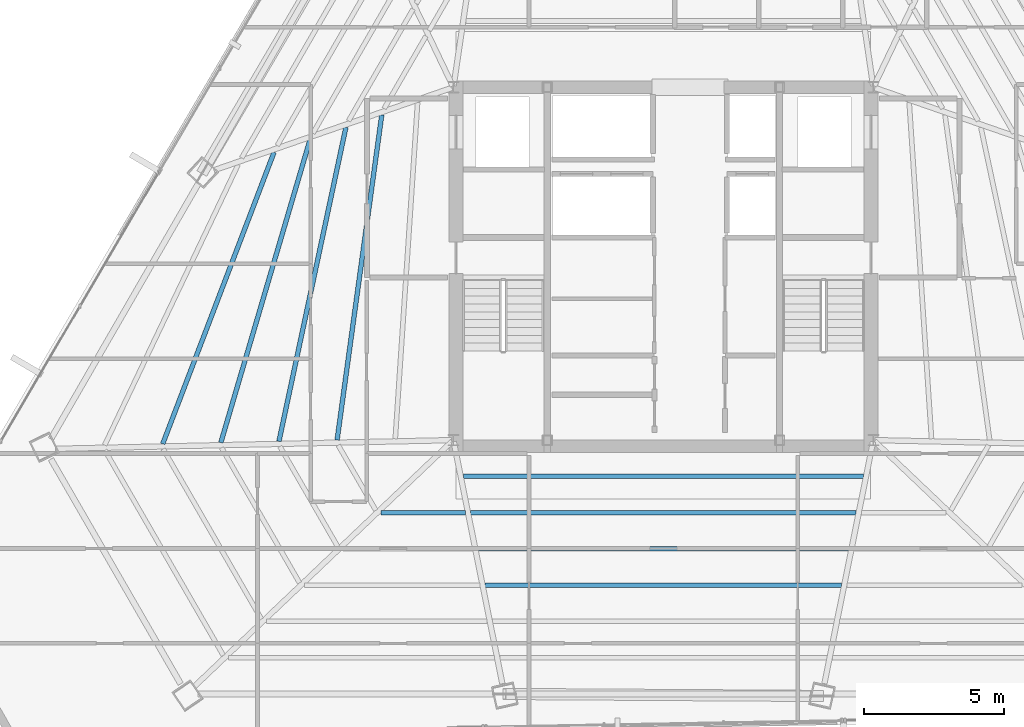
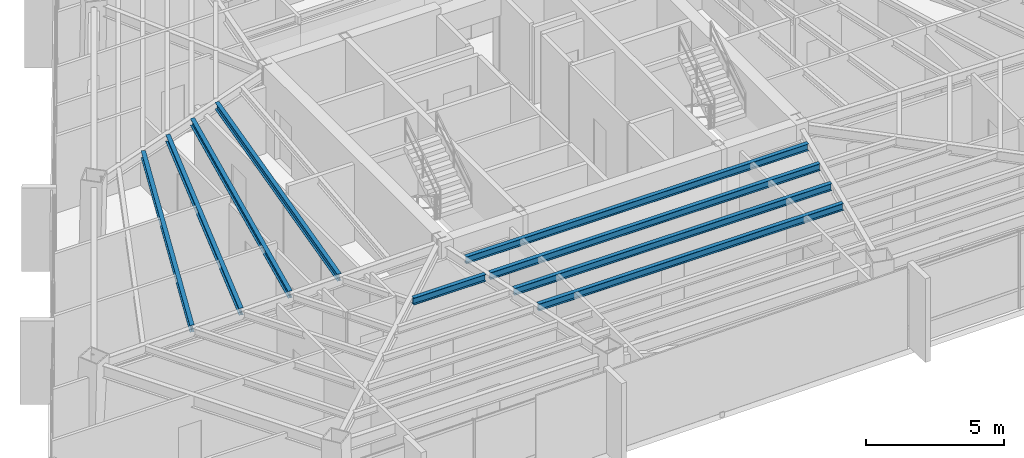
# One storey, part 13 of 42: 9 beams.
"""IFC4 building model written with IfcOpenShell, lengths in metres."""

from ifc_helpers import new_model, si_unit, direction, frame, origin, origin_2d, place, context, subcontext, project, spatial, i_section, extrude, source, transform, mapped, material, material_profile, profile_set, type_object, type_shapes, element, save


model = new_model("IFC4")

# Units and contexts
model_context = context("Model", 3, precision=1e-05, world=origin(), true_north=direction((0.0, 1.0)))
body_context = subcontext(model_context, "Body", "Model", "MODEL_VIEW")
ifc_project = project(units=[si_unit("LENGTHUNIT", "METRE"), si_unit("AREAUNIT", "SQUARE_METRE"), si_unit("VOLUMEUNIT", "CUBIC_METRE"), si_unit("PLANEANGLEUNIT", "RADIAN"), si_unit("MASSUNIT", "GRAM", prefix="KILO")], contexts=[model_context])

# Site, building, storey
site_placement = place(None, origin())
site = spatial("IfcSite", under=ifc_project, at=site_placement, CompositionType="ELEMENT")
building_placement = place(site_placement, origin())
building = spatial("IfcBuilding", under=site, at=building_placement, Name="Caelisora Broadcast Tower", CompositionType="ELEMENT")
storey_placement = place(building_placement, frame((0.0, 0.0, 202.300048828125)))
storey = spatial("IfcBuildingStorey", under=building, at=storey_placement, Name="L53", CompositionType="ELEMENT", Elevation=202.300048828125)

# Beams
ifc_material = material(Name="Steel Grade 350 (AS/NZS 3679.1)", Category="steel")
ifc_material_profile = material_profile(ifc_material, i_section(OverallWidth=0.166015625, OverallDepth=0.30712890625, WebThickness=0.006591796875, FlangeThickness=0.01171875, at=origin_2d()), Name="Steel Grade 350 (AS/NZS 3679.1)")
ifc_profile_set = profile_set([ifc_material_profile], Name="Steel Grade 350 (AS/NZS 3679.1)")
beam_type = type_object("IfcBeamType", Name="SB03", PredefinedType="JOIST", material=ifc_profile_set)
shared_shape_1 = source(origin(), body_context, "Body", "SweptSolid", [
    extrude(i_section(OverallWidth=0.166015625, OverallDepth=0.30712890625, WebThickness=0.006591796875, FlangeThickness=0.01171875, at=origin_2d()), origin(), (0.0, 0.0, 1.0), 11.72314453125),
])
beam_1_placement = place(storey_placement, frame((27.94091796875, 29.015869140625, 3.246337890625), z_axis=(-0.136095448772, -0.990695729689, 0.0), x_axis=(0.990695729689, -0.136095448772, 0.0)))
element("IfcBeam", 1, at=beam_1_placement, inside=storey, type_object=beam_type, Name="L53 beam SB03", PredefinedType="JOIST", context=body_context, shape_type="MappedRepresentation", body=[
    mapped(shared_shape_1, transform((0.0, 0.0, 0.0), scale=1.0)),
])
shared_shape_2 = source(origin(), body_context, "Body", "SweptSolid", [
    extrude(i_section(OverallWidth=0.166015625, OverallDepth=0.30712890625, WebThickness=0.006591796875, FlangeThickness=0.01171875, at=origin_2d()), origin(), (0.0, 0.0, 1.0), 11.4677734375),
])
beam_2_placement = place(storey_placement, frame((26.659912109375, 28.572265625, 3.246337890625), z_axis=(-0.208505435596, -0.978021208015, 0.0), x_axis=(0.978021208015, -0.208505435596, 0.0)))
element("IfcBeam", 2, at=beam_2_placement, inside=storey, type_object=beam_type, Name="L53 beam SB03", PredefinedType="JOIST", context=body_context, shape_type="MappedRepresentation", body=[
    mapped(shared_shape_2, transform((0.0, 0.0, 0.0), scale=1.0)),
])
shared_shape_3 = source(origin(), body_context, "Body", "SweptSolid", [
    extrude(i_section(OverallWidth=0.166015625, OverallDepth=0.30712890625, WebThickness=0.006591796875, FlangeThickness=0.01171875, at=origin_2d()), origin(), (0.0, 0.0, 1.0), 11.276123046875),
])
beam_3_placement = place(storey_placement, frame((25.377685546875, 28.128173828125, 3.246337890625), z_axis=(-0.282441780891, -0.959284441867, 0.0), x_axis=(0.959284441867, -0.282441780891, 0.0)))
element("IfcBeam", 3, at=beam_3_placement, inside=storey, type_object=beam_type, Name="L53 beam SB03", PredefinedType="JOIST", context=body_context, shape_type="MappedRepresentation", body=[
    mapped(shared_shape_3, transform((0.0, 0.0, 0.0), scale=1.0)),
])
shared_shape_4 = source(origin(), body_context, "Body", "SweptSolid", [
    extrude(i_section(OverallWidth=0.166015625, OverallDepth=0.30712890625, WebThickness=0.006591796875, FlangeThickness=0.01171875, at=origin_2d()), origin(), (0.0, 0.0, 1.0), 11.15087890625),
])
beam_4_placement = place(storey_placement, frame((24.09423828125, 27.683837890625, 3.246337890625), z_axis=(-0.356633469269, -0.934244383766, 0.0), x_axis=(0.934244383766, -0.356633469269, 0.0)))
element("IfcBeam", 4, at=beam_4_placement, inside=storey, type_object=beam_type, Name="L53 beam SB03", PredefinedType="JOIST", context=body_context, shape_type="MappedRepresentation", body=[
    mapped(shared_shape_4, transform((0.0, 0.0, 0.0), scale=1.0)),
])
shared_shape_5 = source(origin(), body_context, "Body", "SweptSolid", [
    extrude(i_section(OverallWidth=0.166015625, OverallDepth=0.30712890625, WebThickness=0.006591796875, FlangeThickness=0.01171875, at=origin_2d()), origin(), (0.0, 0.0, 1.0), 3.014404296875),
])
beam_5_placement = place(storey_placement, frame((27.91162109375, 14.809326171875, 3.246337890625), z_axis=(1.0, 0.0, 0.0), x_axis=(0.0, 1.0, 0.0)))
element("IfcBeam", 5, at=beam_5_placement, inside=storey, type_object=beam_type, Name="L53 beam SB03", PredefinedType="JOIST", context=body_context, shape_type="MappedRepresentation", body=[
    mapped(shared_shape_5, transform((0.0, 0.0, 0.0), scale=1.0)),
])
shared_shape_6 = source(origin(), body_context, "Body", "SweptSolid", [
    extrude(i_section(OverallWidth=0.166015625, OverallDepth=0.30712890625, WebThickness=0.006591796875, FlangeThickness=0.01171875, at=origin_2d()), origin(), (0.0, 0.0, 1.0), 14.29052734375),
])
beam_6_placement = place(storey_placement, frame((30.854736328125, 16.104736328125, 3.246337890625), z_axis=(1.0, 0.0, 0.0), x_axis=(0.0, 1.0, 0.0)))
element("IfcBeam", 6, at=beam_6_placement, inside=storey, type_object=beam_type, Name="L53 beam SB03", PredefinedType="JOIST", context=body_context, shape_type="MappedRepresentation", body=[
    mapped(shared_shape_6, transform((0.0, 0.0, 0.0), scale=1.0)),
])
shared_shape_7 = source(origin(), body_context, "Body", "SweptSolid", [
    extrude(i_section(OverallWidth=0.166015625, OverallDepth=0.30712890625, WebThickness=0.006591796875, FlangeThickness=0.01171875, at=origin_2d()), origin(), (0.0, 0.0, 1.0), 13.77001953125),
])
beam_7_placement = place(storey_placement, frame((31.114990234375, 14.809326171875, 3.246337890625), z_axis=(1.0, 0.0, 0.0), x_axis=(0.0, 1.0, 0.0)))
element("IfcBeam", 7, at=beam_7_placement, inside=storey, type_object=beam_type, Name="L53 beam SB03", PredefinedType="JOIST", context=body_context, shape_type="MappedRepresentation", body=[
    mapped(shared_shape_7, transform((0.0, 0.0, 0.0), scale=1.0)),
])
shared_shape_8 = source(origin(), body_context, "Body", "SweptSolid", [
    extrude(i_section(OverallWidth=0.166015625, OverallDepth=0.30712890625, WebThickness=0.006591796875, FlangeThickness=0.01171875, at=origin_2d()), origin(), (0.0, 0.0, 1.0), 13.24951171875),
])
beam_8_placement = place(storey_placement, frame((31.375244140625, 13.513916015625, 3.246337890625), z_axis=(1.0, 0.0, 0.0), x_axis=(0.0, 1.0, 0.0)))
element("IfcBeam", 8, at=beam_8_placement, inside=storey, type_object=beam_type, Name="L53 beam SB03", PredefinedType="JOIST", context=body_context, shape_type="MappedRepresentation", body=[
    mapped(shared_shape_8, transform((0.0, 0.0, 0.0), scale=1.0)),
])
shared_shape_9 = source(origin(), body_context, "Body", "SweptSolid", [
    extrude(i_section(OverallWidth=0.166015625, OverallDepth=0.30712890625, WebThickness=0.006591796875, FlangeThickness=0.01171875, at=origin_2d()), origin(), (0.0, 0.0, 1.0), 12.72900390625),
])
type_shapes(beam_type, [shared_shape_1, shared_shape_2, shared_shape_3, shared_shape_4, shared_shape_5, shared_shape_6, shared_shape_7, shared_shape_8, shared_shape_9])
beam_9_placement = place(storey_placement, frame((31.635498046875, 12.218505859375, 3.246337890625), z_axis=(1.0, 0.0, 0.0), x_axis=(0.0, 1.0, 0.0)))
element("IfcBeam", 9, at=beam_9_placement, inside=storey, type_object=beam_type, Name="L53 beam SB03", PredefinedType="JOIST", context=body_context, shape_type="MappedRepresentation", body=[
    mapped(shared_shape_9, transform((0.0, 0.0, 0.0), scale=1.0)),
])

save(model, "model.ifc")
